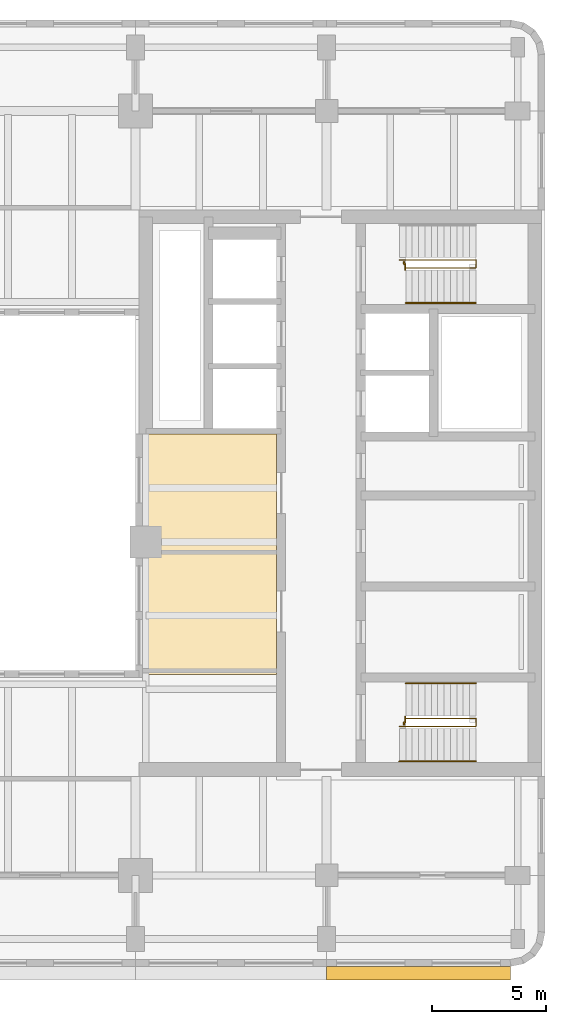
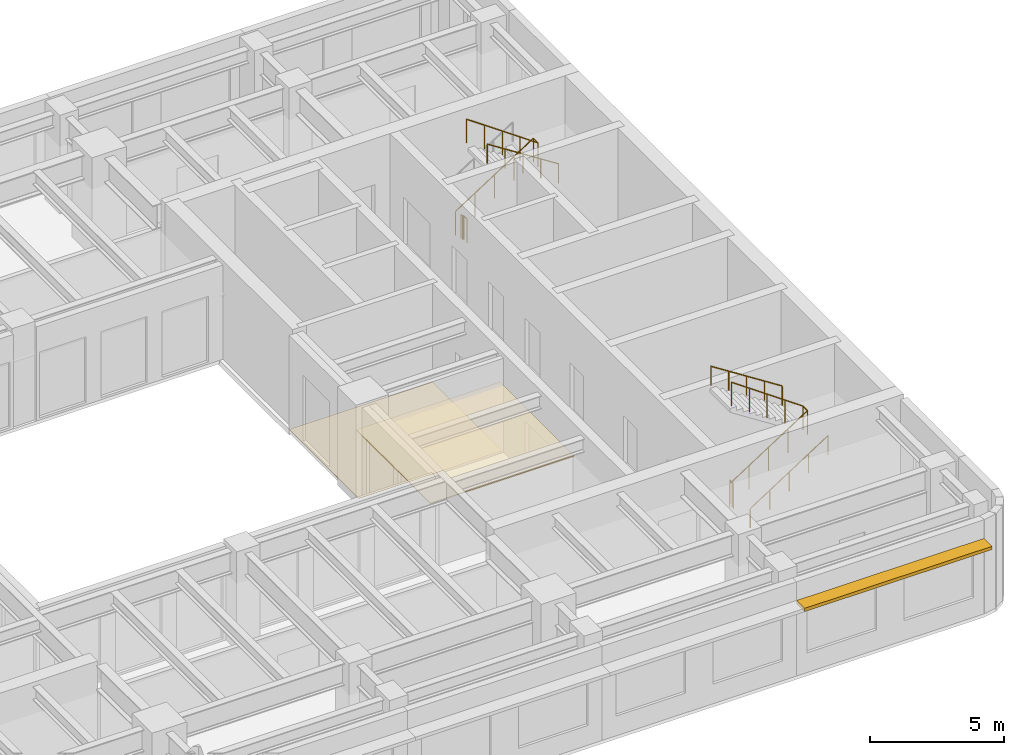
# One storey, part 12 of 13: 7 railings, 2 coverings, 1 shading device.
"""IFC4 building model written with IfcOpenShell, lengths in metres."""

import ifcopenshell
import ifcopenshell.guid

model = None  # the IFC model being written
_history = None  # IfcOwnerHistory: only IFC2X3 demands one
_inside = {}  # id of a spatial element -> (the spatial element, [elements in it])
_under = {}  # id of a project, library or spatial element -> (it, [spatial elements below it])
_declared = {}  # id of a project -> (the project, [libraries it declares])
_typed = {}  # id of a type object -> (the type object, [elements of that type])
_made_of = {}  # id of a material, layer set ... -> (it, [elements and type objects made of it])


def new_model(schema):
    """Start an empty IFC model of exactly this schema.

    Asked for "IFC4X3", IfcOpenShell would pick the latest addendum, in which some entities
    have other attributes; the version numbers below select the first issue.
    IFC2X3 requires an IfcOwnerHistory on every rooted entity: one is made here for all.
    """
    global model, _history
    if schema == "IFC4X3":
        model = ifcopenshell.file(schema_version=(4, 3, 0, 0))
    else:
        model = ifcopenshell.file(schema=schema)
    _inside.clear()
    _under.clear()
    _declared.clear()
    _typed.clear()
    _made_of.clear()
    _history = None
    if model.schema == "IFC2X3":
        org = make("IfcOrganization", Name="unknown")
        user = make(
            "IfcPersonAndOrganization",
            ThePerson=make("IfcPerson", FamilyName="unknown"),
            TheOrganization=org,
        )
        app = make(
            "IfcApplication",
            ApplicationDeveloper=org,
            Version="unknown",
            ApplicationFullName="unknown",
            ApplicationIdentifier="unknown",
        )
        _history = make(
            "IfcOwnerHistory",
            OwningUser=user,
            OwningApplication=app,
            ChangeAction="ADDED",
            CreationDate=0,
        )
    return model


def make(cls, **values):
    """One entity of the class cls with the attributes given. An attribute that is None is left unset."""
    return model.create_entity(
        cls, **{name: value for name, value in values.items() if value is not None}
    )


def rooted(cls, **values):
    """An entity with a GlobalId (a new one), such as an element, a storey or a relation."""
    return make(cls, GlobalId=ifcopenshell.guid.new(), OwnerHistory=_history, **values)


def si_unit(unit_type, name, prefix=None):
    """IfcSIUnit, for example si_unit("LENGTHUNIT", "METRE", prefix="MILLI")."""
    return make("IfcSIUnit", UnitType=unit_type, Prefix=prefix, Name=name)


def assignment(units):
    """IfcUnitAssignment: the units of a project."""
    return None if units is None else make("IfcUnitAssignment", Units=units)


def point(xyz):
    """IfcCartesianPoint."""
    return None if xyz is None else make("IfcCartesianPoint", Coordinates=xyz)


def direction(xyz):
    """IfcDirection."""
    return None if xyz is None else make("IfcDirection", DirectionRatios=xyz)


def frame(location, z_axis=None, x_axis=None):
    """IfcAxis2Placement3D, a coordinate frame: its origin and axes. An axis left out is left unset."""
    return make(
        "IfcAxis2Placement3D",
        Location=point(location),
        Axis=direction(z_axis),
        RefDirection=direction(x_axis),
    )


def frame_2d(location, x_axis=None):
    """IfcAxis2Placement2D, a coordinate frame in the plane: its origin and x axis."""
    return make(
        "IfcAxis2Placement2D", Location=point(location), RefDirection=direction(x_axis)
    )


def origin():
    """The frame at (0, 0, 0) with its axes left unset."""
    return frame((0.0, 0.0, 0.0))


def origin_2d():
    """The frame at (0, 0) in the plane with its x axis left unset."""
    return frame_2d((0.0, 0.0))


def place(relative_to, where):
    """IfcLocalPlacement: puts the frame where relative to a parent placement (None: the world)."""
    return make(
        "IfcLocalPlacement", PlacementRelTo=relative_to, RelativePlacement=where
    )


def context(
    kind, dimensions, precision=None, world=None, true_north=None, identifier=None
):
    """IfcGeometricRepresentationContext, for example the 3D "Model" context."""
    return make(
        "IfcGeometricRepresentationContext",
        ContextIdentifier=identifier,
        ContextType=kind,
        CoordinateSpaceDimension=dimensions,
        Precision=precision,
        WorldCoordinateSystem=world,
        TrueNorth=true_north,
    )


def subcontext(parent, identifier, kind, view, scale=None):
    """IfcGeometricRepresentationSubContext, for example "Body" below "Model"."""
    return make(
        "IfcGeometricRepresentationSubContext",
        ContextIdentifier=identifier,
        ContextType=kind,
        ParentContext=parent,
        TargetScale=scale,
        TargetView=view,
    )


def project(units=None, contexts=None):
    """IfcProject with its units and contexts."""
    return rooted(
        "IfcProject",
        Name="project",
        RepresentationContexts=contexts,
        UnitsInContext=assignment(units),
    )


def spatial(cls, under=None, at=None, **own):
    """A site, building, storey or space (cls), placed at a placement, below another one or the project."""
    s = rooted(cls, ObjectPlacement=at, **own)
    if under is not None:
        _under.setdefault(under.id(), (under, []))[1].append(s)
    return s


def polyline(points):
    """IfcPolyline through the points."""
    return make("IfcPolyline", Points=[point(p) for p in points])


def profile(cls, at=None, kind="AREA", **sizes):
    """A parametric profile (cls). Its sizes go by their IFC names, for example OverallWidth=200.0."""
    return make(cls, ProfileType=kind, Position=at, **sizes)


def rectangle(**sizes):
    """IfcRectangleProfileDef."""
    return profile("IfcRectangleProfileDef", **sizes)


def circle(**sizes):
    """IfcCircleProfileDef."""
    return profile("IfcCircleProfileDef", **sizes)


def outline(outer, holes=None, kind="AREA"):
    """IfcArbitraryClosedProfileDef: a profile drawn as a closed curve; with holes, ...WithVoids."""
    if holes is None:
        return make("IfcArbitraryClosedProfileDef", ProfileType=kind, OuterCurve=outer)
    return make(
        "IfcArbitraryProfileDefWithVoids",
        ProfileType=kind,
        OuterCurve=outer,
        InnerCurves=holes,
    )


def extrude(swept, where, along, depth):
    """IfcExtrudedAreaSolid: the profile swept, set in the frame where, extruded along a direction by depth."""
    return make(
        "IfcExtrudedAreaSolid",
        SweptArea=swept,
        Position=where,
        ExtrudedDirection=direction(along),
        Depth=depth,
    )


def shape(context_of_items, identifier, shape_type, items):
    """IfcShapeRepresentation: the items that make up one representation, for example the "Body"."""
    return make(
        "IfcShapeRepresentation",
        ContextOfItems=context_of_items,
        RepresentationIdentifier=identifier,
        RepresentationType=shape_type,
        Items=items,
    )


def material(Name=None, Category=None):
    """IfcMaterial."""
    return make("IfcMaterial", Name=Name, Category=Category)


def layer(
    of_material, thickness, ventilated=None, Name=None, Category=None, Priority=None
):
    """IfcMaterialLayer: one layer of a wall or slab, of a material (None: an air gap)."""
    return make(
        "IfcMaterialLayer",
        Material=of_material,
        LayerThickness=thickness,
        IsVentilated=ventilated,
        Name=Name,
        Category=Category,
        Priority=Priority,
    )


def layer_set(layers, Name=None):
    """IfcMaterialLayerSet."""
    return make("IfcMaterialLayerSet", MaterialLayers=layers, LayerSetName=Name)


def made_of(thing, what):
    """Note that an element or type object is made of a material, layer set ...; save() writes the relation."""
    if what is not None:
        _made_of.setdefault(what.id(), (what, []))[1].append(thing)
    return thing


def type_object(cls, material=None, **own):
    """A type object (cls), such as IfcWallType, which elements share."""
    return made_of(rooted(cls, **own), material)


def element(
    cls,
    number,
    at=None,
    inside=None,
    cuts=None,
    type_object=None,
    material=None,
    context=None,
    identifier="Body",
    shape_type=None,
    held_by="IfcProductDefinitionShape",
    body=None,
    shapes=None,
    **own,
):
    """One element of the class cls, such as IfcWall. Its Tag is "e" and its number.

    at: its placement. inside: the storey or other place that contains it. cuts: it is an
    opening in that element (IfcRelVoidsElement). A single representation is given by context,
    identifier, shape_type and body (its items); several are given by shapes. held_by: the class
    of the entity that holds the representations. save() writes the other relations.
    """
    e = rooted(cls, Tag="e%d" % number, ObjectPlacement=at, **own)
    if body is not None:
        shapes = [shape(context, identifier, shape_type, body)]
    if shapes is not None:
        e.Representation = make(held_by, Representations=shapes)
    if inside is not None:
        _inside.setdefault(inside.id(), (inside, []))[1].append(e)
    if cuts is not None:
        rooted(
            "IfcRelVoidsElement", RelatingBuildingElement=cuts, RelatedOpeningElement=e
        )
    if type_object is not None:
        _typed.setdefault(type_object.id(), (type_object, []))[1].append(e)
    return made_of(e, material)


def aggregate(whole, parts):
    """IfcRelAggregates: a whole, such as a stair, and the parts it consists of."""
    return rooted("IfcRelAggregates", RelatingObject=whole, RelatedObjects=parts)


def save(model, path):
    """Write the relations noted so far, then the file.

    IfcRelAggregates (storeys below a building ...), IfcRelContainedInSpatialStructure (elements
    in a storey), IfcRelDefinesByType, IfcRelAssociatesMaterial and IfcRelDeclares: one each for
    every whole, place, type object, material and project.
    """
    for whole, parts in _under.values():
        aggregate(whole, parts)
    for where, things in _inside.values():
        rooted(
            "IfcRelContainedInSpatialStructure",
            RelatedElements=things,
            RelatingStructure=where,
        )
    for kind, things in _typed.values():
        rooted("IfcRelDefinesByType", RelatedObjects=things, RelatingType=kind)
    for what, things in _made_of.values():
        rooted("IfcRelAssociatesMaterial", RelatedObjects=things, RelatingMaterial=what)
    for by, libraries in _declared.values():
        rooted("IfcRelDeclares", RelatingContext=by, RelatedDefinitions=libraries)
    model.write(path)


model = new_model("IFC4")

# Units and contexts
model_context = context("Model", 3, precision=1e-05, world=origin(), true_north=direction((0.0, 1.0)))
body_context = subcontext(model_context, "Body", "Model", "MODEL_VIEW")
ifc_project = project(units=[si_unit("LENGTHUNIT", "METRE"), si_unit("AREAUNIT", "SQUARE_METRE"), si_unit("VOLUMEUNIT", "CUBIC_METRE"), si_unit("PLANEANGLEUNIT", "RADIAN"), si_unit("MASSUNIT", "GRAM", prefix="KILO")], contexts=[model_context])

# Site, building, storey
site_placement = place(None, origin())
site = spatial("IfcSite", under=ifc_project, at=site_placement, CompositionType="ELEMENT")
building_placement = place(site_placement, origin())
building = spatial("IfcBuilding", under=site, at=building_placement, Name="Claustro Exchange Tower", CompositionType="ELEMENT")
storey_placement = place(building_placement, frame((0.0, 0.0, 277.199951171875)))
storey = spatial("IfcBuildingStorey", under=building, at=storey_placement, Name="L63", CompositionType="ELEMENT", Elevation=277.199951171875)

# Coverings
ifc_material_1 = material(Name="Oak slats on acoustic backing", Category="wood")
ifc_layer_1 = layer(ifc_material_1, 0.050048828125)
ifc_layer_set_1 = layer_set([ifc_layer_1], Name="Oak slats on acoustic backing")
covering_type_1 = type_object("IfcCoveringType", Name="CL3 timber slat ceiling", PredefinedType="CEILING", material=ifc_layer_set_1)
covering_1_placement = place(storey_placement, frame((0.0, 0.0, 3.0)))
element("IfcCovering", 1, at=covering_1_placement, inside=storey, type_object=covering_type_1, Name="Ceiling CL3 L63-08", PredefinedType="CEILING", context=body_context, shape_type="SweptSolid", body=[
    extrude(outline(polyline([(33.60009765625, 22.77001953125), (33.60009765625, 17.22998046875), (39.800048828125, 17.22998046875), (39.800048828125, 22.77001953125), (33.60009765625, 22.77001953125)])), origin(), (0.0, 0.0, 1.0), 0.050048828125),
])
ifc_material_2 = material(Name="Epoxy resin floor finish", Category="resin")
ifc_layer_2 = layer(ifc_material_2, 0.006103515625)
ifc_layer_set_2 = layer_set([ifc_layer_2], Name="Epoxy resin floor finish")
covering_type_2 = type_object("IfcCoveringType", Name="FL2 resin plant room floor", PredefinedType="FLOORING", material=ifc_layer_set_2)
covering_2_placement = place(storey_placement, origin())
element("IfcCovering", 2, at=covering_2_placement, inside=storey, type_object=covering_type_2, Name="Resin floor FL2 L63-10", PredefinedType="FLOORING", context=body_context, shape_type="SweptSolid", body=[
    extrude(outline(polyline([(39.800048828125, 22.60009765625), (39.800048828125, 27.800048828125), (33.60009765625, 27.800048828125), (33.60009765625, 22.60009765625), (39.800048828125, 22.60009765625)])), origin(), (0.0, 0.0, 1.0), 0.006103515625),
])

# Railings
ifc_material_3 = material(Name="Steel balustrade, painted", Category="steel")
railing_type_1 = type_object("IfcRailingType", Name="GR2 1100 steel stair guard", PredefinedType="GUARDRAIL", material=ifc_material_3)
railing_1_placement = place(storey_placement, frame((45.199951171875, 14.949951171875, 0.179931640625)))
element("IfcRailing", 3, at=railing_1_placement, inside=storey, type_object=railing_type_1, Name="Stair well guard GR2 stair STEA L63", PredefinedType="GUARDRAIL", context=body_context, shape_type="SweptSolid", body=[
    extrude(circle(Radius=0.02392578125, at=origin_2d()), frame((0.0, 0.0, 1.076171875), z_axis=(0.8411685463, 0.0, 0.540773036232), x_axis=(0.0, 1.0, 0.0)), (0.0, 0.0, 1.0), 3.99462890625),
    extrude(circle(Radius=0.02392578125, at=origin_2d()), frame((3.360107421875, 0.0, 3.236328125), z_axis=(0.0, 1.0, 0.0), x_axis=(-1.0, 0.0, 0.0)), (0.0, 0.0, 1.0), 0.35009765625),
    extrude(circle(Radius=0.02392578125, at=origin_2d()), frame((3.360107421875, 0.35009765625, 3.236328125), z_axis=(-0.8187499073, 0.0, 0.574150319426), x_axis=(0.0, -1.0, 0.0)), (0.0, 0.0, 1.0), 3.761962890625),
    extrude(circle(Radius=0.02099609375, at=origin_2d()), origin(), (0.0, 0.0, 1.0), 1.052001953125),
    extrude(circle(Radius=0.02099609375, at=origin_2d()), frame((0.840087890625, 0.0, 0.5400390625)), (0.0, 0.0, 1.0), 1.052001953125),
    extrude(circle(Radius=0.02099609375, at=origin_2d()), frame((1.68017578125, 0.0, 1.080078125)), (0.0, 0.0, 1.0), 1.052001953125),
    extrude(circle(Radius=0.02099609375, at=origin_2d()), frame((2.52001953125, 0.0, 1.6201171875)), (0.0, 0.0, 1.0), 1.052001953125),
    extrude(circle(Radius=0.02099609375, at=origin_2d()), frame((3.360107421875, 0.0, 2.16015625)), (0.0, 0.0, 1.0), 1.052001953125),
    extrude(circle(Radius=0.02099609375, at=origin_2d()), frame((3.360107421875, 0.35009765625, 2.16015625)), (0.0, 0.0, 1.0), 1.052001953125),
    extrude(circle(Radius=0.02099609375, at=origin_2d()), frame((2.590087890625, 0.35009765625, 2.7001953125)), (0.0, 0.0, 1.0), 1.052001953125),
    extrude(circle(Radius=0.02099609375, at=origin_2d()), frame((1.820068359375, 0.35009765625, 3.240234375)), (0.0, 0.0, 1.0), 1.052001953125),
    extrude(circle(Radius=0.02099609375, at=origin_2d()), frame((1.050048828125, 0.35009765625, 3.780029296875)), (0.0, 0.0, 1.0), 1.052001953125),
    extrude(circle(Radius=0.02099609375, at=origin_2d()), frame((0.280029296875, 0.35009765625, 4.320068359375)), (0.0, 0.0, 1.0), 1.052001953125),
])
railing_2_placement = place(storey_placement, frame((45.39990234375, 15.02001953125, 0.0)))
element("IfcRailing", 4, at=railing_2_placement, inside=storey, type_object=railing_type_1, Name="Stair guard GR2 STEA L63", PredefinedType="GUARDRAIL", context=body_context, shape_type="SweptSolid", body=[
    extrude(circle(Radius=0.02392578125, at=origin_2d()), frame((0.0, 0.0, 1.076171875), z_axis=(0.0, 1.0, 0.0), x_axis=(-1.0, 0.0, 0.0)), (0.0, 0.0, 1.0), 0.10498046875),
    extrude(circle(Radius=0.02392578125, at=origin_2d()), frame((0.0, 0.10498046875, 1.076171875), z_axis=(1.0, 0.0, 0.0), x_axis=(0.0, 1.0, 0.0)), (0.0, 0.0, 1.0), 0.05517578125),
    extrude(circle(Radius=0.02392578125, at=origin_2d()), frame((0.05517578125, 0.10498046875, 1.076171875), z_axis=(0.0, 1.0, 0.0), x_axis=(-1.0, 0.0, 0.0)), (0.0, 0.0, 1.0), 0.2548828125),
    extrude(circle(Radius=0.02099609375, at=origin_2d()), origin(), (0.0, 0.0, 1.0), 1.052001953125),
    extrude(circle(Radius=0.02099609375, at=origin_2d()), frame((0.0, 0.10498046875, 0.0)), (0.0, 0.0, 1.0), 1.052001953125),
    extrude(circle(Radius=0.02099609375, at=origin_2d()), frame((0.05517578125, 0.10498046875, 0.0)), (0.0, 0.0, 1.0), 1.052001953125),
    extrude(circle(Radius=0.02099609375, at=origin_2d()), frame((0.05517578125, 0.35986328125, 0.0)), (0.0, 0.0, 1.0), 1.052001953125),
])
railing_3_placement = place(storey_placement, frame((45.199951171875, 35.449951171875, 0.179931640625)))
element("IfcRailing", 5, at=railing_3_placement, inside=storey, type_object=railing_type_1, Name="Stair well guard GR2 stair STEB L63", PredefinedType="GUARDRAIL", context=body_context, shape_type="SweptSolid", body=[
    extrude(circle(Radius=0.02392578125, at=origin_2d()), frame((0.0, 0.0, 1.076171875), z_axis=(0.8411685463, 0.0, 0.540773036232), x_axis=(0.0, 1.0, 0.0)), (0.0, 0.0, 1.0), 3.99462890625),
    extrude(circle(Radius=0.02392578125, at=origin_2d()), frame((3.360107421875, 0.0, 3.236328125), z_axis=(0.0, -1.0, 0.0), x_axis=(1.0, 0.0, 0.0)), (0.0, 0.0, 1.0), 0.349853515625),
    extrude(circle(Radius=0.02392578125, at=origin_2d()), frame((3.360107421875, -0.349853515625, 3.236328125), z_axis=(-0.8187499073, 0.0, 0.574150319426), x_axis=(0.0, -1.0, 0.0)), (0.0, 0.0, 1.0), 3.761962890625),
    extrude(circle(Radius=0.02099609375, at=origin_2d()), origin(), (0.0, 0.0, 1.0), 1.052001953125),
    extrude(circle(Radius=0.02099609375, at=origin_2d()), frame((0.840087890625, 0.0, 0.5400390625)), (0.0, 0.0, 1.0), 1.052001953125),
    extrude(circle(Radius=0.02099609375, at=origin_2d()), frame((1.68017578125, 0.0, 1.080078125)), (0.0, 0.0, 1.0), 1.052001953125),
    extrude(circle(Radius=0.02099609375, at=origin_2d()), frame((2.52001953125, 0.0, 1.6201171875)), (0.0, 0.0, 1.0), 1.052001953125),
    extrude(circle(Radius=0.02099609375, at=origin_2d()), frame((3.360107421875, 0.0, 2.16015625)), (0.0, 0.0, 1.0), 1.052001953125),
    extrude(circle(Radius=0.02099609375, at=origin_2d()), frame((3.360107421875, -0.349853515625, 2.16015625)), (0.0, 0.0, 1.0), 1.052001953125),
    extrude(circle(Radius=0.02099609375, at=origin_2d()), frame((2.590087890625, -0.349853515625, 2.7001953125)), (0.0, 0.0, 1.0), 1.052001953125),
    extrude(circle(Radius=0.02099609375, at=origin_2d()), frame((1.820068359375, -0.349853515625, 3.240234375)), (0.0, 0.0, 1.0), 1.052001953125),
    extrude(circle(Radius=0.02099609375, at=origin_2d()), frame((1.050048828125, -0.349853515625, 3.780029296875)), (0.0, 0.0, 1.0), 1.052001953125),
    extrude(circle(Radius=0.02099609375, at=origin_2d()), frame((0.280029296875, -0.349853515625, 4.320068359375)), (0.0, 0.0, 1.0), 1.052001953125),
])
railing_4_placement = place(storey_placement, frame((45.39990234375, 35.3798828125, 0.0)))
element("IfcRailing", 6, at=railing_4_placement, inside=storey, type_object=railing_type_1, Name="Stair guard GR2 STEB L63", PredefinedType="GUARDRAIL", context=body_context, shape_type="SweptSolid", body=[
    extrude(circle(Radius=0.02392578125, at=origin_2d()), frame((0.0, 0.0, 1.076171875), z_axis=(0.0, -1.0, 0.0), x_axis=(1.0, 0.0, 0.0)), (0.0, 0.0, 1.0), 0.10498046875),
    extrude(circle(Radius=0.02392578125, at=origin_2d()), frame((0.0, -0.10498046875, 1.076171875), z_axis=(1.0, 0.0, 0.0), x_axis=(0.0, 1.0, 0.0)), (0.0, 0.0, 1.0), 0.05517578125),
    extrude(circle(Radius=0.02392578125, at=origin_2d()), frame((0.05517578125, -0.10498046875, 1.076171875), z_axis=(0.0, -1.0, 0.0), x_axis=(1.0, 0.0, 0.0)), (0.0, 0.0, 1.0), 0.2548828125),
    extrude(circle(Radius=0.02099609375, at=origin_2d()), origin(), (0.0, 0.0, 1.0), 1.052001953125),
    extrude(circle(Radius=0.02099609375, at=origin_2d()), frame((0.0, -0.10498046875, 0.0)), (0.0, 0.0, 1.0), 1.052001953125),
    extrude(circle(Radius=0.02099609375, at=origin_2d()), frame((0.05517578125, -0.10498046875, 0.0)), (0.0, 0.0, 1.0), 1.052001953125),
    extrude(circle(Radius=0.02099609375, at=origin_2d()), frame((0.05517578125, -0.35986328125, 0.0)), (0.0, 0.0, 1.0), 1.052001953125),
])
ifc_material_4 = material(Name="Stainless steel tube", Category="steel")
railing_type_2 = type_object("IfcRailingType", Name="HR1 900 stair handrail", PredefinedType="HANDRAIL", material=ifc_material_4)
railing_5_placement = place(storey_placement, frame((45.199951171875, 13.409912109375, 0.179931640625)))
element("IfcRailing", 7, at=railing_5_placement, inside=storey, type_object=railing_type_2, Name="Handrail HR1 stair STEA L63", PredefinedType="HANDRAIL", context=body_context, shape_type="SweptSolid", body=[
    extrude(circle(Radius=0.02392578125, at=origin_2d()), frame((0.0, 0.0, 0.8759765625), z_axis=(0.8411685463, 0.0, 0.540773036232), x_axis=(0.0, 1.0, 0.0)), (0.0, 0.0, 1.0), 3.99462890625),
    extrude(circle(Radius=0.02099609375, at=origin_2d()), origin(), (0.0, 0.0, 1.0), 0.851806640625),
    extrude(circle(Radius=0.02099609375, at=origin_2d()), frame((0.840087890625, 0.0, 0.5400390625)), (0.0, 0.0, 1.0), 0.851806640625),
    extrude(circle(Radius=0.02099609375, at=origin_2d()), frame((1.68017578125, 0.0, 1.080078125)), (0.0, 0.0, 1.0), 0.851806640625),
    extrude(circle(Radius=0.02099609375, at=origin_2d()), frame((2.52001953125, 0.0, 1.6201171875)), (0.0, 0.0, 1.0), 0.851806640625),
    extrude(circle(Radius=0.02099609375, at=origin_2d()), frame((3.360107421875, 0.0, 2.16015625)), (0.0, 0.0, 1.0), 0.851806640625),
])
for number, where, name in (
    (8, (48.56005859375, 16.840087890625, 2.52001953125), "Handrail HR1 stair STEA L63"),
    (9, (48.56005859375, 33.56005859375, 2.52001953125), "Handrail HR1 stair STEB L63"),
):
    element("IfcRailing", number, at=place(storey_placement, frame(where)), inside=storey, type_object=railing_type_2, Name=name, PredefinedType="HANDRAIL", context=body_context, shape_type="SweptSolid", body=[
        extrude(circle(Radius=0.02392578125, at=origin_2d()), frame((0.0, 0.0, 0.8759765625), z_axis=(-0.84118714077, 0.0, 0.540744111576), x_axis=(0.0, -1.0, 0.0)), (0.0, 0.0, 1.0), 3.66162109375),
        extrude(circle(Radius=0.02099609375, at=origin_2d()), origin(), (0.0, 0.0, 1.0), 0.851806640625),
        extrude(circle(Radius=0.02099609375, at=origin_2d()), frame((-0.77001953125, 0.0, 0.4951171875)), (0.0, 0.0, 1.0), 0.851806640625),
        extrude(circle(Radius=0.02099609375, at=origin_2d()), frame((-1.5400390625, 0.0, 0.989990234375)), (0.0, 0.0, 1.0), 0.851806640625),
        extrude(circle(Radius=0.02099609375, at=origin_2d()), frame((-2.31005859375, 0.0, 1.48486328125)), (0.0, 0.0, 1.0), 0.851806640625),
        extrude(circle(Radius=0.02099609375, at=origin_2d()), frame((-3.080078125, 0.0, 1.97998046875)), (0.0, 0.0, 1.0), 0.851806640625),
    ])

# Shading device
ifc_material_5 = material(Name="Concrete HA-40 (C40/50), precast, white cement, acid-etched", Category="concrete")
ifc_layer_3 = layer(ifc_material_5, 0.14990234375)
ifc_layer_set_3 = layer_set([ifc_layer_3], Name="Concrete HA-40 (C40/50), precast, white cement, acid-etched")
shading_device_type = type_object("IfcShadingDeviceType", Name="SS1 600 precast concrete SUNSHADE", PredefinedType="SHUTTER", material=ifc_layer_set_3)
shading_device_placement = place(storey_placement, frame((46.04248046875, 4.10009765625, 3.300048828125), z_axis=(0.0, 0.0, 1.0), x_axis=(-1.0, 0.0, 0.0)))
element("IfcShadingDevice", 10, at=shading_device_placement, inside=storey, type_object=shading_device_type, Name="Precast SUNSHADE SS1 L63", PredefinedType="SHUTTER", context=body_context, shape_type="SweptSolid", body=[
    extrude(rectangle(XDim=8.085205078125, YDim=0.60009765625, at=origin_2d()), origin(), (0.0, 0.0, 1.0), 0.14990234375),
])

save(model, "model.ifc")
